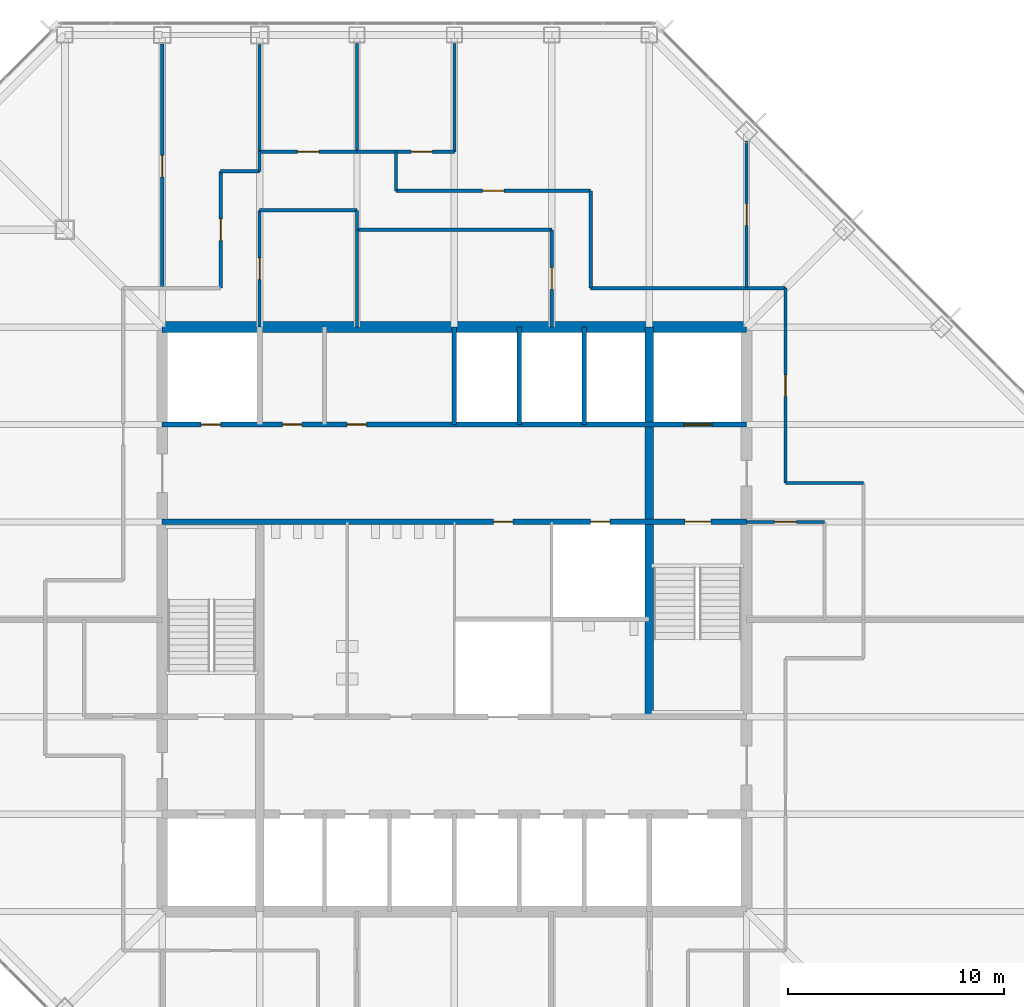
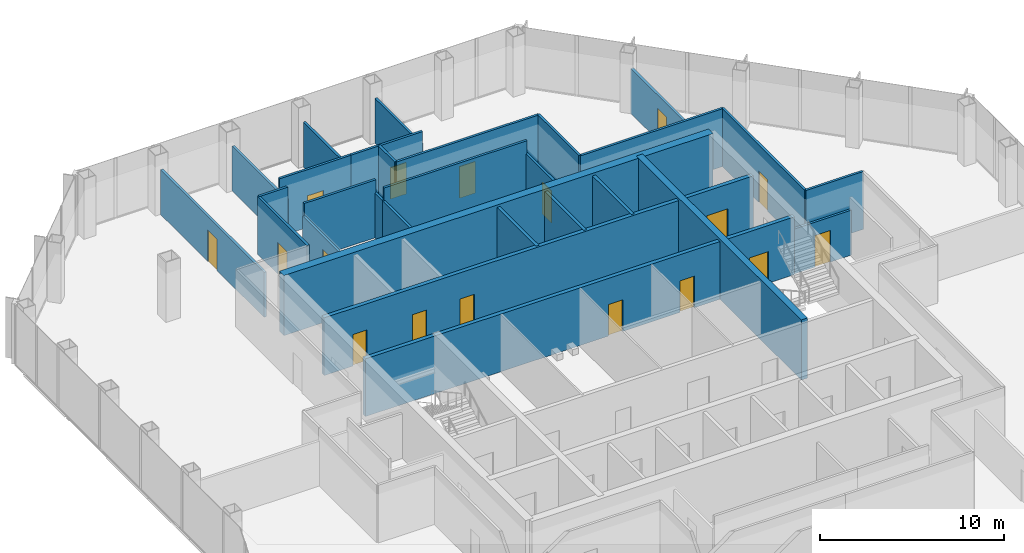
# One storey, part 10 of 13: 30 walls, 17 doors, 17 openings.
"""IFC4 building model written with IfcOpenShell, lengths in metres."""

import ifcopenshell
import ifcopenshell.guid

model = None  # the IFC model being written
_history = None  # IfcOwnerHistory: only IFC2X3 demands one
_inside = {}  # id of a spatial element -> (the spatial element, [elements in it])
_under = {}  # id of a project, library or spatial element -> (it, [spatial elements below it])
_declared = {}  # id of a project -> (the project, [libraries it declares])
_typed = {}  # id of a type object -> (the type object, [elements of that type])
_made_of = {}  # id of a material, layer set ... -> (it, [elements and type objects made of it])


def new_model(schema):
    """Start an empty IFC model of exactly this schema.

    Asked for "IFC4X3", IfcOpenShell would pick the latest addendum, in which some entities
    have other attributes; the version numbers below select the first issue.
    IFC2X3 requires an IfcOwnerHistory on every rooted entity: one is made here for all.
    """
    global model, _history
    if schema == "IFC4X3":
        model = ifcopenshell.file(schema_version=(4, 3, 0, 0))
    else:
        model = ifcopenshell.file(schema=schema)
    _inside.clear()
    _under.clear()
    _declared.clear()
    _typed.clear()
    _made_of.clear()
    _history = None
    if model.schema == "IFC2X3":
        org = make("IfcOrganization", Name="unknown")
        user = make(
            "IfcPersonAndOrganization",
            ThePerson=make("IfcPerson", FamilyName="unknown"),
            TheOrganization=org,
        )
        app = make(
            "IfcApplication",
            ApplicationDeveloper=org,
            Version="unknown",
            ApplicationFullName="unknown",
            ApplicationIdentifier="unknown",
        )
        _history = make(
            "IfcOwnerHistory",
            OwningUser=user,
            OwningApplication=app,
            ChangeAction="ADDED",
            CreationDate=0,
        )
    return model


def make(cls, **values):
    """One entity of the class cls with the attributes given. An attribute that is None is left unset."""
    return model.create_entity(
        cls, **{name: value for name, value in values.items() if value is not None}
    )


def rooted(cls, **values):
    """An entity with a GlobalId (a new one), such as an element, a storey or a relation."""
    return make(cls, GlobalId=ifcopenshell.guid.new(), OwnerHistory=_history, **values)


def si_unit(unit_type, name, prefix=None):
    """IfcSIUnit, for example si_unit("LENGTHUNIT", "METRE", prefix="MILLI")."""
    return make("IfcSIUnit", UnitType=unit_type, Prefix=prefix, Name=name)


def assignment(units):
    """IfcUnitAssignment: the units of a project."""
    return None if units is None else make("IfcUnitAssignment", Units=units)


def point(xyz):
    """IfcCartesianPoint."""
    return None if xyz is None else make("IfcCartesianPoint", Coordinates=xyz)


def direction(xyz):
    """IfcDirection."""
    return None if xyz is None else make("IfcDirection", DirectionRatios=xyz)


def frame(location, z_axis=None, x_axis=None):
    """IfcAxis2Placement3D, a coordinate frame: its origin and axes. An axis left out is left unset."""
    return make(
        "IfcAxis2Placement3D",
        Location=point(location),
        Axis=direction(z_axis),
        RefDirection=direction(x_axis),
    )


def frame_2d(location, x_axis=None):
    """IfcAxis2Placement2D, a coordinate frame in the plane: its origin and x axis."""
    return make(
        "IfcAxis2Placement2D", Location=point(location), RefDirection=direction(x_axis)
    )


def origin():
    """The frame at (0, 0, 0) with its axes left unset."""
    return frame((0.0, 0.0, 0.0))


def place(relative_to, where):
    """IfcLocalPlacement: puts the frame where relative to a parent placement (None: the world)."""
    return make(
        "IfcLocalPlacement", PlacementRelTo=relative_to, RelativePlacement=where
    )


def context(
    kind, dimensions, precision=None, world=None, true_north=None, identifier=None
):
    """IfcGeometricRepresentationContext, for example the 3D "Model" context."""
    return make(
        "IfcGeometricRepresentationContext",
        ContextIdentifier=identifier,
        ContextType=kind,
        CoordinateSpaceDimension=dimensions,
        Precision=precision,
        WorldCoordinateSystem=world,
        TrueNorth=true_north,
    )


def subcontext(parent, identifier, kind, view, scale=None):
    """IfcGeometricRepresentationSubContext, for example "Body" below "Model"."""
    return make(
        "IfcGeometricRepresentationSubContext",
        ContextIdentifier=identifier,
        ContextType=kind,
        ParentContext=parent,
        TargetScale=scale,
        TargetView=view,
    )


def project(units=None, contexts=None):
    """IfcProject with its units and contexts."""
    return rooted(
        "IfcProject",
        Name="project",
        RepresentationContexts=contexts,
        UnitsInContext=assignment(units),
    )


def spatial(cls, under=None, at=None, **own):
    """A site, building, storey or space (cls), placed at a placement, below another one or the project."""
    s = rooted(cls, ObjectPlacement=at, **own)
    if under is not None:
        _under.setdefault(under.id(), (under, []))[1].append(s)
    return s


def profile(cls, at=None, kind="AREA", **sizes):
    """A parametric profile (cls). Its sizes go by their IFC names, for example OverallWidth=200.0."""
    return make(cls, ProfileType=kind, Position=at, **sizes)


def rectangle(**sizes):
    """IfcRectangleProfileDef."""
    return profile("IfcRectangleProfileDef", **sizes)


def extrude(swept, where, along, depth):
    """IfcExtrudedAreaSolid: the profile swept, set in the frame where, extruded along a direction by depth."""
    return make(
        "IfcExtrudedAreaSolid",
        SweptArea=swept,
        Position=where,
        ExtrudedDirection=direction(along),
        Depth=depth,
    )


def shape(context_of_items, identifier, shape_type, items):
    """IfcShapeRepresentation: the items that make up one representation, for example the "Body"."""
    return make(
        "IfcShapeRepresentation",
        ContextOfItems=context_of_items,
        RepresentationIdentifier=identifier,
        RepresentationType=shape_type,
        Items=items,
    )


def material(Name=None, Category=None):
    """IfcMaterial."""
    return make("IfcMaterial", Name=Name, Category=Category)


def layer(
    of_material, thickness, ventilated=None, Name=None, Category=None, Priority=None
):
    """IfcMaterialLayer: one layer of a wall or slab, of a material (None: an air gap)."""
    return make(
        "IfcMaterialLayer",
        Material=of_material,
        LayerThickness=thickness,
        IsVentilated=ventilated,
        Name=Name,
        Category=Category,
        Priority=Priority,
    )


def layer_set(layers, Name=None):
    """IfcMaterialLayerSet."""
    return make("IfcMaterialLayerSet", MaterialLayers=layers, LayerSetName=Name)


def made_of(thing, what):
    """Note that an element or type object is made of a material, layer set ...; save() writes the relation."""
    if what is not None:
        _made_of.setdefault(what.id(), (what, []))[1].append(thing)
    return thing


def type_object(cls, material=None, **own):
    """A type object (cls), such as IfcWallType, which elements share."""
    return made_of(rooted(cls, **own), material)


def element(
    cls,
    number,
    at=None,
    inside=None,
    cuts=None,
    type_object=None,
    material=None,
    context=None,
    identifier="Body",
    shape_type=None,
    held_by="IfcProductDefinitionShape",
    body=None,
    shapes=None,
    **own,
):
    """One element of the class cls, such as IfcWall. Its Tag is "e" and its number.

    at: its placement. inside: the storey or other place that contains it. cuts: it is an
    opening in that element (IfcRelVoidsElement). A single representation is given by context,
    identifier, shape_type and body (its items); several are given by shapes. held_by: the class
    of the entity that holds the representations. save() writes the other relations.
    """
    e = rooted(cls, Tag="e%d" % number, ObjectPlacement=at, **own)
    if body is not None:
        shapes = [shape(context, identifier, shape_type, body)]
    if shapes is not None:
        e.Representation = make(held_by, Representations=shapes)
    if inside is not None:
        _inside.setdefault(inside.id(), (inside, []))[1].append(e)
    if cuts is not None:
        rooted(
            "IfcRelVoidsElement", RelatingBuildingElement=cuts, RelatedOpeningElement=e
        )
    if type_object is not None:
        _typed.setdefault(type_object.id(), (type_object, []))[1].append(e)
    return made_of(e, material)


def fill(opening, filler):
    """IfcRelFillsElement: the door or window that sits in an opening."""
    return rooted(
        "IfcRelFillsElement",
        RelatingOpeningElement=opening,
        RelatedBuildingElement=filler,
    )


def aggregate(whole, parts):
    """IfcRelAggregates: a whole, such as a stair, and the parts it consists of."""
    return rooted("IfcRelAggregates", RelatingObject=whole, RelatedObjects=parts)


def save(model, path):
    """Write the relations noted so far, then the file.

    IfcRelAggregates (storeys below a building ...), IfcRelContainedInSpatialStructure (elements
    in a storey), IfcRelDefinesByType, IfcRelAssociatesMaterial and IfcRelDeclares: one each for
    every whole, place, type object, material and project.
    """
    for whole, parts in _under.values():
        aggregate(whole, parts)
    for where, things in _inside.values():
        rooted(
            "IfcRelContainedInSpatialStructure",
            RelatedElements=things,
            RelatingStructure=where,
        )
    for kind, things in _typed.values():
        rooted("IfcRelDefinesByType", RelatedObjects=things, RelatingType=kind)
    for what, things in _made_of.values():
        rooted("IfcRelAssociatesMaterial", RelatedObjects=things, RelatingMaterial=what)
    for by, libraries in _declared.values():
        rooted("IfcRelDeclares", RelatingContext=by, RelatedDefinitions=libraries)
    model.write(path)


model = new_model("IFC4")

# Units and contexts
model_context = context("Model", 3, precision=1e-05, world=origin(), true_north=direction((0.0, 1.0)))
body_context = subcontext(model_context, "Body", "Model", "MODEL_VIEW")
ifc_project = project(units=[si_unit("LENGTHUNIT", "METRE"), si_unit("AREAUNIT", "SQUARE_METRE"), si_unit("VOLUMEUNIT", "CUBIC_METRE"), si_unit("PLANEANGLEUNIT", "RADIAN"), si_unit("MASSUNIT", "GRAM", prefix="KILO")], contexts=[model_context])

# Site, building, storey
site_placement = place(None, origin())
site = spatial("IfcSite", under=ifc_project, at=site_placement, CompositionType="ELEMENT")
building_placement = place(site_placement, origin())
building = spatial("IfcBuilding", under=site, at=building_placement, Name="Corais Broadcast Tower", CompositionType="ELEMENT")
storey_placement = place(building_placement, frame((0.0, 0.0, 119.60009765625)))
storey = spatial("IfcBuildingStorey", under=building, at=storey_placement, Name="L26", CompositionType="ELEMENT", Elevation=119.60009765625)

# Wall, openings, doors
ifc_material_1 = material(Name="Concrete blockwork class A, grouted, two-hour", Category="masonry")
ifc_layer_1 = layer(ifc_material_1, 0.25)
ifc_layer_set_1 = layer_set([ifc_layer_1], Name="Concrete blockwork class A, grouted, two-hour")
wall_type_1 = type_object("IfcWallType", Name="Core lobby wall 250", PredefinedType="SOLIDWALL", material=ifc_layer_set_1)
wall_1_placement = place(storey_placement, frame((13.5, 31.5, 0.0), z_axis=(0.0, 0.0, 1.0), x_axis=(1.0, 0.0, 0.0)))
wall_1 = element("IfcWall", 1, at=wall_1_placement, inside=storey, type_object=wall_type_1, Name="CL2 core lobby wall Y315 L26", PredefinedType="SOLIDWALL", context=body_context, shape_type="SweptSolid", body=[
    extrude(rectangle(XDim=27.0, YDim=0.25, at=frame_2d((13.5, 0.0))), origin(), (0.0, 0.0, 1.0), 3.83984375),
])
opening_1_placement = place(wall_1_placement, frame((24.14990234375, 0.0, 0.0)))
opening_1 = element("IfcOpeningElement", 2, at=opening_1_placement, cuts=wall_1, Name="Opening FD1", PredefinedType="OPENING", context=body_context, shape_type="SweptSolid", body=[
    extrude(rectangle(XDim=1.199951171875, YDim=2.10009765625, at=frame_2d((0.60009765625, 1.050048828125))), frame((0.0, 0.135009765625, 0.0), z_axis=(0.0, -1.0, 0.0), x_axis=(1.0, 0.0, 0.0)), (0.0, 0.0, 1.0), 0.27001953125),
])
opening_2_placement = place(wall_1_placement, frame((15.300048828125, 0.0, 0.0)))
opening_2 = element("IfcOpeningElement", 3, at=opening_2_placement, cuts=wall_1, Name="Opening RD1", PredefinedType="OPENING", context=body_context, shape_type="SweptSolid", body=[
    extrude(rectangle(XDim=0.89990234375, YDim=2.10009765625, at=frame_2d((0.449951171875, 1.050048828125))), frame((0.0, 0.135009765625, 0.0), z_axis=(0.0, -1.0, 0.0), x_axis=(1.0, 0.0, 0.0)), (0.0, 0.0, 1.0), 0.27001953125),
])
opening_3_placement = place(wall_1_placement, frame((19.800048828125, 0.0, 0.0)))
opening_3 = element("IfcOpeningElement", 4, at=opening_3_placement, cuts=wall_1, Name="Opening RD1", PredefinedType="OPENING", context=body_context, shape_type="SweptSolid", body=[
    extrude(rectangle(XDim=0.89990234375, YDim=2.10009765625, at=frame_2d((0.449951171875, 1.050048828125))), frame((0.0, 0.135009765625, 0.0), z_axis=(0.0, -1.0, 0.0), x_axis=(1.0, 0.0, 0.0)), (0.0, 0.0, 1.0), 0.27001953125),
])
ifc_material_2 = material(Name="Steel fire door", Category="steel")
door_type_1 = type_object("IfcDoorType", Name="Fire door 1200x2100", OperationType="SINGLE_SWING_LEFT", PredefinedType="DOOR", material=ifc_material_2)
door_1_placement = place(opening_1_placement, origin())
door_1 = element("IfcDoor", 5, at=door_1_placement, inside=storey, type_object=door_type_1, Name="FD1 stair B door L26", OperationType="SINGLE_SWING_RIGHT", OverallHeight=2.10009765625, OverallWidth=1.199951171875, PredefinedType="DOOR", context=body_context, shape_type="SweptSolid", body=[
    extrude(rectangle(XDim=1.199951171875, YDim=2.10009765625, at=frame_2d((0.60009765625, 1.050048828125))), frame((0.0, 0.02490234375, 0.0), z_axis=(0.0, -1.0, 0.0), x_axis=(1.0, 0.0, 0.0)), (0.0, 0.0, 1.0), 0.050048828125),
])
fill(opening_1, door_1)
ifc_material_3 = material(Name="Steel fire door", Category="steel")
door_type_2 = type_object("IfcDoorType", Name="Riser door 900x2100", OperationType="SINGLE_SWING_LEFT", PredefinedType="DOOR", material=ifc_material_3)
door_2_placement = place(opening_2_placement, origin())
door_2 = element("IfcDoor", 6, at=door_2_placement, inside=storey, type_object=door_type_2, Name="RD1 tea point door L26", OperationType="SINGLE_SWING_RIGHT", OverallHeight=2.10009765625, OverallWidth=0.89990234375, PredefinedType="DOOR", context=body_context, shape_type="SweptSolid", body=[
    extrude(rectangle(XDim=0.89990234375, YDim=2.10009765625, at=frame_2d((0.449951171875, 1.050048828125))), frame((0.0, 0.02490234375, 0.0), z_axis=(0.0, -1.0, 0.0), x_axis=(1.0, 0.0, 0.0)), (0.0, 0.0, 1.0), 0.050048828125),
])
fill(opening_2, door_2)
door_3_placement = place(opening_3_placement, origin())
door_3 = element("IfcDoor", 7, at=door_3_placement, inside=storey, type_object=door_type_2, Name="RD1 riser door L26", OperationType="SINGLE_SWING_RIGHT", OverallHeight=2.10009765625, OverallWidth=0.89990234375, PredefinedType="DOOR", context=body_context, shape_type="SweptSolid", body=[
    extrude(rectangle(XDim=0.89990234375, YDim=2.10009765625, at=frame_2d((0.449951171875, 1.050048828125))), frame((0.0, 0.02490234375, 0.0), z_axis=(0.0, -1.0, 0.0), x_axis=(1.0, 0.0, 0.0)), (0.0, 0.0, 1.0), 0.050048828125),
])
fill(opening_3, door_3)

# Walls
ifc_material_4 = material(Name="Concrete C50/60", Category="concrete")
ifc_layer_2 = layer(ifc_material_4, 0.39990234375)
ifc_layer_set_2 = layer_set([ifc_layer_2], Name="Concrete C50/60")
wall_type_2 = type_object("IfcWallType", Name="Core wall 400", PredefinedType="SHEAR", material=ifc_layer_set_2)
wall_2_placement = place(storey_placement, frame((36.0, 22.5, 0.0), z_axis=(0.0, 0.0, 1.0), x_axis=(0.0, 1.0, 0.0)))
element("IfcWall", 8, at=wall_2_placement, inside=storey, type_object=wall_type_2, Name="CR400 core wall X36B L26", PredefinedType="SHEAR", context=body_context, shape_type="SweptSolid", body=[
    extrude(rectangle(XDim=18.0, YDim=0.39990234375, at=frame_2d((9.0, 0.0))), origin(), (0.0, 0.0, 1.0), 4.0),
])
ifc_material_5 = material(Name="Concrete C50/60", Category="concrete")
ifc_layer_3 = layer(ifc_material_5, 0.5)
ifc_layer_set_3 = layer_set([ifc_layer_3], Name="Concrete C50/60")
wall_type_3 = type_object("IfcWallType", Name="Core wall 500", PredefinedType="SHEAR", material=ifc_layer_set_3)
wall_3_placement = place(storey_placement, frame((40.5, 40.5, 0.0), z_axis=(0.0, 0.0, 1.0), x_axis=(-1.0, 0.0, 0.0)))
element("IfcWall", 9, at=wall_3_placement, inside=storey, type_object=wall_type_3, Name="CR500 core wall N L26", PredefinedType="SHEAR", context=body_context, shape_type="SweptSolid", body=[
    extrude(rectangle(XDim=27.0, YDim=0.5, at=frame_2d((13.5, 0.0))), origin(), (0.0, 0.0, 1.0), 4.0),
])

# Wall, openings, doors
ifc_material_6 = material(Name="Concrete blockwork class A, grouted, four-hour", Category="masonry")
ifc_layer_4 = layer(ifc_material_6, 0.25)
ifc_layer_set_4 = layer_set([ifc_layer_4], Name="Concrete blockwork class A, grouted, four-hour")
wall_type_4 = type_object("IfcWallType", Name="Emergency lift shaft wall 250", PredefinedType="SOLIDWALL", material=ifc_layer_set_4)
wall_4_placement = place(storey_placement, frame((13.5, 36.0, 0.0), z_axis=(0.0, 0.0, 1.0), x_axis=(1.0, 0.0, 0.0)))
wall_4 = element("IfcWall", 10, at=wall_4_placement, inside=storey, type_object=wall_type_4, Name="LS2 core lobby wall Y36 L26", PredefinedType="SOLIDWALL", context=body_context, shape_type="SweptSolid", body=[
    extrude(rectangle(XDim=27.0, YDim=0.25, at=frame_2d((13.5, 0.0))), origin(), (0.0, 0.0, 1.0), 3.83984375),
])
opening_4_placement = place(wall_4_placement, frame((1.800048828125, 0.0, 0.0)))
opening_4 = element("IfcOpeningElement", 11, at=opening_4_placement, cuts=wall_4, Name="Opening RD1", PredefinedType="OPENING", context=body_context, shape_type="SweptSolid", body=[
    extrude(rectangle(XDim=0.89990234375, YDim=2.10009765625, at=frame_2d((0.449951171875, 1.050048828125))), frame((0.0, 0.135009765625, 0.0), z_axis=(0.0, -1.0, 0.0), x_axis=(1.0, 0.0, 0.0)), (0.0, 0.0, 1.0), 0.27001953125),
])
opening_5_placement = place(wall_4_placement, frame((5.550048828125, 0.0, 0.0)))
opening_5 = element("IfcOpeningElement", 12, at=opening_5_placement, cuts=wall_4, Name="Opening RD1", PredefinedType="OPENING", context=body_context, shape_type="SweptSolid", body=[
    extrude(rectangle(XDim=0.89990234375, YDim=2.10009765625, at=frame_2d((0.449951171875, 1.050048828125))), frame((0.0, 0.135009765625, 0.0), z_axis=(0.0, -1.0, 0.0), x_axis=(1.0, 0.0, 0.0)), (0.0, 0.0, 1.0), 0.27001953125),
])
opening_6_placement = place(wall_4_placement, frame((8.550048828125, 0.0, 0.0)))
opening_6 = element("IfcOpeningElement", 13, at=opening_6_placement, cuts=wall_4, Name="Opening RD1", PredefinedType="OPENING", context=body_context, shape_type="SweptSolid", body=[
    extrude(rectangle(XDim=0.89990234375, YDim=2.10009765625, at=frame_2d((0.449951171875, 1.050048828125))), frame((0.0, 0.135009765625, 0.0), z_axis=(0.0, -1.0, 0.0), x_axis=(1.0, 0.0, 0.0)), (0.0, 0.0, 1.0), 0.27001953125),
])
opening_7_placement = place(wall_4_placement, frame((24.10009765625, 0.0, 0.0)))
opening_7 = element("IfcOpeningElement", 14, at=opening_7_placement, cuts=wall_4, Name="Opening LD2", PredefinedType="OPENING", context=body_context, shape_type="SweptSolid", body=[
    extrude(rectangle(XDim=1.300048828125, YDim=2.199951171875, at=frame_2d((0.64990234375, 1.10009765625))), frame((0.0, 0.135009765625, 0.0), z_axis=(0.0, -1.0, 0.0), x_axis=(1.0, 0.0, 0.0)), (0.0, 0.0, 1.0), 0.27001953125),
])
ifc_material_7 = material(Name="Stainless steel lift door", Category="steel")
door_type_3 = type_object("IfcDoorType", Name="Lift landing door 1300x2200", OperationType="SLIDING_TO_LEFT", PredefinedType="DOOR", material=ifc_material_7)
door_4_placement = place(opening_7_placement, origin())
door_4 = element("IfcDoor", 15, at=door_4_placement, inside=storey, type_object=door_type_3, Name="LD2 FL2 landing door L26", OperationType="SLIDING_TO_LEFT", OverallHeight=2.199951171875, OverallWidth=1.300048828125, PredefinedType="DOOR", context=body_context, shape_type="SweptSolid", body=[
    extrude(rectangle(XDim=1.300048828125, YDim=2.199951171875, at=frame_2d((0.64990234375, 1.10009765625))), frame((0.0, 0.02490234375, 0.0), z_axis=(0.0, -1.0, 0.0), x_axis=(1.0, 0.0, 0.0)), (0.0, 0.0, 1.0), 0.050048828125),
])
fill(opening_7, door_4)
door_5_placement = place(opening_4_placement, origin())
door_5 = element("IfcDoor", 16, at=door_5_placement, inside=storey, type_object=door_type_2, Name="RD1 riser door L26", OperationType="SINGLE_SWING_LEFT", OverallHeight=2.10009765625, OverallWidth=0.89990234375, PredefinedType="DOOR", context=body_context, shape_type="SweptSolid", body=[
    extrude(rectangle(XDim=0.89990234375, YDim=2.10009765625, at=frame_2d((0.449951171875, 1.050048828125))), frame((0.0, 0.02490234375, 0.0), z_axis=(0.0, -1.0, 0.0), x_axis=(1.0, 0.0, 0.0)), (0.0, 0.0, 1.0), 0.050048828125),
])
fill(opening_4, door_5)
door_6_placement = place(opening_5_placement, origin())
door_6 = element("IfcDoor", 17, at=door_6_placement, inside=storey, type_object=door_type_2, Name="RD1 stationery store door L26", OperationType="SINGLE_SWING_LEFT", OverallHeight=2.10009765625, OverallWidth=0.89990234375, PredefinedType="DOOR", context=body_context, shape_type="SweptSolid", body=[
    extrude(rectangle(XDim=0.89990234375, YDim=2.10009765625, at=frame_2d((0.449951171875, 1.050048828125))), frame((0.0, 0.02490234375, 0.0), z_axis=(0.0, -1.0, 0.0), x_axis=(1.0, 0.0, 0.0)), (0.0, 0.0, 1.0), 0.050048828125),
])
fill(opening_5, door_6)
door_7_placement = place(opening_6_placement, origin())
door_7 = element("IfcDoor", 18, at=door_7_placement, inside=storey, type_object=door_type_2, Name="RD1 vending room door L26", OperationType="SINGLE_SWING_LEFT", OverallHeight=2.10009765625, OverallWidth=0.89990234375, PredefinedType="DOOR", context=body_context, shape_type="SweptSolid", body=[
    extrude(rectangle(XDim=0.89990234375, YDim=2.10009765625, at=frame_2d((0.449951171875, 1.050048828125))), frame((0.0, 0.02490234375, 0.0), z_axis=(0.0, -1.0, 0.0), x_axis=(1.0, 0.0, 0.0)), (0.0, 0.0, 1.0), 0.050048828125),
])
fill(opening_6, door_7)

# Wall, opening, door
ifc_material_8 = material(Name="Gypsum board on steel studs", Category="steel")
ifc_layer_5 = layer(ifc_material_8, 0.14990234375)
ifc_layer_set_5 = layer_set([ifc_layer_5], Name="Gypsum board on steel studs")
wall_type_5 = type_object("IfcWallType", Name="Partition 150", PredefinedType="PARTITIONING", material=ifc_layer_set_5)
wall_5_placement = place(storey_placement, frame((16.199951171875, 47.699951171875, 0.0), z_axis=(0.0, 0.0, 1.0), x_axis=(0.0, -1.0, 0.0)))
wall_5 = element("IfcWall", 19, at=wall_5_placement, inside=storey, type_object=wall_type_5, Name="IW3 corridor wall L26", PredefinedType="PARTITIONING", context=body_context, shape_type="SweptSolid", body=[
    extrude(rectangle(XDim=5.39990234375, YDim=0.14990234375, at=frame_2d((2.699951171875, 0.0))), origin(), (0.0, 0.0, 1.0), 3.83984375),
])
opening_8_placement = place(wall_5_placement, frame((2.199951171875, 0.0, 0.0)))
opening_8 = element("IfcOpeningElement", 20, at=opening_8_placement, cuts=wall_5, Name="Opening D1", PredefinedType="OPENING", context=body_context, shape_type="SweptSolid", body=[
    extrude(rectangle(XDim=1.0, YDim=2.10009765625, at=frame_2d((0.5, 1.050048828125))), frame((0.0, 0.0849609375, 0.0), z_axis=(0.0, -1.0, 0.0), x_axis=(1.0, 0.0, 0.0)), (0.0, 0.0, 1.0), 0.169921875),
])
ifc_material_9 = material(Name="Timber door", Category="wood")
door_type_4 = type_object("IfcDoorType", Name="Single door 1000x2100", OperationType="SINGLE_SWING_LEFT", PredefinedType="DOOR", material=ifc_material_9)
door_8_placement = place(opening_8_placement, origin())
door_8 = element("IfcDoor", 21, at=door_8_placement, inside=storey, type_object=door_type_4, Name="D1 workplace door L26", OperationType="SINGLE_SWING_LEFT", OverallHeight=2.10009765625, OverallWidth=1.0, PredefinedType="DOOR", context=body_context, shape_type="SweptSolid", body=[
    extrude(rectangle(XDim=1.0, YDim=2.10009765625, at=frame_2d((0.5, 1.050048828125))), frame((0.0, 0.02490234375, 0.0), z_axis=(0.0, -1.0, 0.0), x_axis=(1.0, 0.0, 0.0)), (0.0, 0.0, 1.0), 0.050048828125),
])
fill(opening_8, door_8)

# Walls
wall_6_placement = place(storey_placement, frame((18.0, 47.699951171875, 0.0), z_axis=(0.0, 0.0, 1.0), x_axis=(-1.0, 0.0, 0.0)))
element("IfcWall", 22, at=wall_6_placement, inside=storey, type_object=wall_type_5, Name="IW3 corridor wall L26", PredefinedType="PARTITIONING", context=body_context, shape_type="SweptSolid", body=[
    extrude(rectangle(XDim=1.800048828125, YDim=0.14990234375, at=frame_2d((0.89990234375, 0.0))), origin(), (0.0, 0.0, 1.0), 3.83984375),
])
wall_7_placement = place(storey_placement, frame((18.0, 48.610107421875, 0.0), z_axis=(0.0, 0.0, 1.0), x_axis=(0.0, -1.0, 0.0)))
element("IfcWall", 23, at=wall_7_placement, inside=storey, type_object=wall_type_5, Name="IW3 corridor wall L26", PredefinedType="PARTITIONING", context=body_context, shape_type="SweptSolid", body=[
    extrude(rectangle(XDim=0.91015625, YDim=0.14990234375, at=frame_2d((0.455078125, 0.0))), origin(), (0.0, 0.0, 1.0), 2.989013671875),
])

# Wall, opening, door
wall_8_placement = place(storey_placement, frame((33.300048828125, 46.800048828125, 0.0), z_axis=(0.0, 0.0, 1.0), x_axis=(-1.0, 0.0, 0.0)))
wall_8 = element("IfcWall", 24, at=wall_8_placement, inside=storey, type_object=wall_type_5, Name="IW3 corridor wall L26", PredefinedType="PARTITIONING", context=body_context, shape_type="SweptSolid", body=[
    extrude(rectangle(XDim=9.0, YDim=0.14990234375, at=frame_2d((4.5, 0.0))), origin(), (0.0, 0.0, 1.0), 3.83984375),
])
opening_9_placement = place(wall_8_placement, frame((4.0, 0.0, 0.0)))
opening_9 = element("IfcOpeningElement", 25, at=opening_9_placement, cuts=wall_8, Name="Opening D1", PredefinedType="OPENING", context=body_context, shape_type="SweptSolid", body=[
    extrude(rectangle(XDim=1.0, YDim=2.10009765625, at=frame_2d((0.5, 1.050048828125))), frame((0.0, 0.0849609375, 0.0), z_axis=(0.0, -1.0, 0.0), x_axis=(1.0, 0.0, 0.0)), (0.0, 0.0, 1.0), 0.169921875),
])
door_9_placement = place(opening_9_placement, origin())
door_9 = element("IfcDoor", 26, at=door_9_placement, inside=storey, type_object=door_type_4, Name="D1 workplace door L26", OperationType="SINGLE_SWING_LEFT", OverallHeight=2.10009765625, OverallWidth=1.0, PredefinedType="DOOR", context=body_context, shape_type="SweptSolid", body=[
    extrude(rectangle(XDim=1.0, YDim=2.10009765625, at=frame_2d((0.5, 1.050048828125))), frame((0.0, 0.02490234375, 0.0), z_axis=(0.0, -1.0, 0.0), x_axis=(1.0, 0.0, 0.0)), (0.0, 0.0, 1.0), 0.050048828125),
])
fill(opening_9, door_9)

wall_9_placement = place(storey_placement, frame((42.300048828125, 33.300048828125, 0.0), z_axis=(0.0, 0.0, 1.0), x_axis=(0.0, 1.0, 0.0)))
wall_9 = element("IfcWall", 27, at=wall_9_placement, inside=storey, type_object=wall_type_5, Name="IW3 corridor wall L26", PredefinedType="PARTITIONING", context=body_context, shape_type="SweptSolid", body=[
    extrude(rectangle(XDim=9.0, YDim=0.14990234375, at=frame_2d((4.5, 0.0))), origin(), (0.0, 0.0, 1.0), 3.83984375),
])
opening_10_placement = place(wall_9_placement, frame((4.0, 0.0, 0.0)))
opening_10 = element("IfcOpeningElement", 28, at=opening_10_placement, cuts=wall_9, Name="Opening D1", PredefinedType="OPENING", context=body_context, shape_type="SweptSolid", body=[
    extrude(rectangle(XDim=1.0, YDim=2.10009765625, at=frame_2d((0.5, 1.050048828125))), frame((0.0, 0.0849609375, 0.0), z_axis=(0.0, -1.0, 0.0), x_axis=(1.0, 0.0, 0.0)), (0.0, 0.0, 1.0), 0.169921875),
])
door_10_placement = place(opening_10_placement, origin())
door_10 = element("IfcDoor", 29, at=door_10_placement, inside=storey, type_object=door_type_4, Name="D1 workplace door L26", OperationType="SINGLE_SWING_LEFT", OverallHeight=2.10009765625, OverallWidth=1.0, PredefinedType="DOOR", context=body_context, shape_type="SweptSolid", body=[
    extrude(rectangle(XDim=1.0, YDim=2.10009765625, at=frame_2d((0.5, 1.050048828125))), frame((0.0, 0.02490234375, 0.0), z_axis=(0.0, -1.0, 0.0), x_axis=(1.0, 0.0, 0.0)), (0.0, 0.0, 1.0), 0.050048828125),
])
fill(opening_10, door_10)

# Walls
wall_10_placement = place(storey_placement, frame((42.300048828125, 42.300048828125, 0.0), z_axis=(0.0, 0.0, 1.0), x_axis=(-1.0, 0.0, 0.0)))
element("IfcWall", 30, at=wall_10_placement, inside=storey, type_object=wall_type_5, Name="IW3 corridor wall L26", PredefinedType="PARTITIONING", context=body_context, shape_type="SweptSolid", body=[
    extrude(rectangle(XDim=9.0, YDim=0.14990234375, at=frame_2d((4.5, 0.0))), origin(), (0.0, 0.0, 1.0), 3.83984375),
])
wall_11_placement = place(storey_placement, frame((33.300048828125, 42.300048828125, 0.0), z_axis=(0.0, 0.0, 1.0), x_axis=(0.0, 1.0, 0.0)))
element("IfcWall", 31, at=wall_11_placement, inside=storey, type_object=wall_type_5, Name="IW3 corridor wall L26", PredefinedType="PARTITIONING", context=body_context, shape_type="SweptSolid", body=[
    extrude(rectangle(XDim=4.5, YDim=0.14990234375, at=frame_2d((2.25, 0.0))), origin(), (0.0, 0.0, 1.0), 3.83984375),
])
wall_12_placement = place(storey_placement, frame((45.89990234375, 33.300048828125, 0.0), z_axis=(0.0, 0.0, 1.0), x_axis=(-1.0, 0.0, 0.0)))
element("IfcWall", 32, at=wall_12_placement, inside=storey, type_object=wall_type_5, Name="IW3 corridor wall L26", PredefinedType="PARTITIONING", context=body_context, shape_type="SweptSolid", body=[
    extrude(rectangle(XDim=3.599853515625, YDim=0.14990234375, at=frame_2d((1.7998046875, 0.0))), origin(), (0.0, 0.0, 1.0), 3.83984375),
])
wall_13_placement = place(storey_placement, frame((24.300048828125, 46.800048828125, 0.0), z_axis=(0.0, 0.0, 1.0), x_axis=(0.0, 1.0, 0.0)))
element("IfcWall", 33, at=wall_13_placement, inside=storey, type_object=wall_type_5, Name="IW3 corridor wall L26", PredefinedType="PARTITIONING", context=body_context, shape_type="SweptSolid", body=[
    extrude(rectangle(XDim=1.800048828125, YDim=0.14990234375, at=frame_2d((0.89990234375, 0.0))), origin(), (0.0, 0.0, 1.0), 3.83984375),
])

# Wall, opening, door
wall_14_placement = place(storey_placement, frame((31.5, 40.5, 0.0), z_axis=(0.0, 0.0, 1.0), x_axis=(0.0, 1.0, 0.0)))
wall_14 = element("IfcWall", 34, at=wall_14_placement, inside=storey, type_object=wall_type_5, Name="IW3 partition L26", PredefinedType="PARTITIONING", context=body_context, shape_type="SweptSolid", body=[
    extrude(rectangle(XDim=4.5, YDim=0.14990234375, at=frame_2d((2.25, 0.0))), origin(), (0.0, 0.0, 1.0), 2.989013671875),
])
opening_11_placement = place(wall_14_placement, frame((1.75, 0.0, 0.0)))
opening_11 = element("IfcOpeningElement", 35, at=opening_11_placement, cuts=wall_14, Name="Opening D1", PredefinedType="OPENING", context=body_context, shape_type="SweptSolid", body=[
    extrude(rectangle(XDim=1.0, YDim=2.10009765625, at=frame_2d((0.5, 1.050048828125))), frame((0.0, 0.0849609375, 0.0), z_axis=(0.0, -1.0, 0.0), x_axis=(1.0, 0.0, 0.0)), (0.0, 0.0, 1.0), 0.169921875),
])
door_11_placement = place(opening_11_placement, origin())
door_11 = element("IfcDoor", 36, at=door_11_placement, inside=storey, type_object=door_type_4, Name="D1 Meeting room door", OperationType="SINGLE_SWING_LEFT", OverallHeight=2.10009765625, OverallWidth=1.0, PredefinedType="DOOR", context=body_context, shape_type="SweptSolid", body=[
    extrude(rectangle(XDim=1.0, YDim=2.10009765625, at=frame_2d((0.5, 1.050048828125))), frame((0.0, 0.02490234375, 0.0), z_axis=(0.0, -1.0, 0.0), x_axis=(1.0, 0.0, 0.0)), (0.0, 0.0, 1.0), 0.050048828125),
])
fill(opening_11, door_11)

# Walls
wall_15_placement = place(storey_placement, frame((31.5, 45.0, 0.0), z_axis=(0.0, 0.0, 1.0), x_axis=(-1.0, 0.0, 0.0)))
element("IfcWall", 37, at=wall_15_placement, inside=storey, type_object=wall_type_5, Name="IW3 partition L26", PredefinedType="PARTITIONING", context=body_context, shape_type="SweptSolid", body=[
    extrude(rectangle(XDim=9.0, YDim=0.14990234375, at=frame_2d((4.5, 0.0))), origin(), (0.0, 0.0, 1.0), 3.83984375),
])
wall_16_placement = place(storey_placement, frame((22.5, 45.0, 0.0), z_axis=(0.0, 0.0, 1.0), x_axis=(0.0, -1.0, 0.0)))
element("IfcWall", 38, at=wall_16_placement, inside=storey, type_object=wall_type_5, Name="IW3 partition L26", PredefinedType="PARTITIONING", context=body_context, shape_type="SweptSolid", body=[
    extrude(rectangle(XDim=4.5, YDim=0.14990234375, at=frame_2d((2.25, 0.0))), origin(), (0.0, 0.0, 1.0), 2.989013671875),
])

# Wall, opening, door
wall_17_placement = place(storey_placement, frame((18.0, 48.60009765625, 0.0), z_axis=(0.0, 0.0, 1.0), x_axis=(1.0, 0.0, 0.0)))
wall_17 = element("IfcWall", 39, at=wall_17_placement, inside=storey, type_object=wall_type_5, Name="IW3 partition L26", PredefinedType="PARTITIONING", context=body_context, shape_type="SweptSolid", body=[
    extrude(rectangle(XDim=4.5, YDim=0.14990234375, at=frame_2d((2.25, 0.0))), origin(), (0.0, 0.0, 1.0), 3.83984375),
])
opening_12_placement = place(wall_17_placement, frame((1.75, 0.0, 0.0)))
opening_12 = element("IfcOpeningElement", 40, at=opening_12_placement, cuts=wall_17, Name="Opening D1", PredefinedType="OPENING", context=body_context, shape_type="SweptSolid", body=[
    extrude(rectangle(XDim=1.0, YDim=2.10009765625, at=frame_2d((0.5, 1.050048828125))), frame((0.0, 0.0849609375, 0.0), z_axis=(0.0, -1.0, 0.0), x_axis=(1.0, 0.0, 0.0)), (0.0, 0.0, 1.0), 0.169921875),
])
door_12_placement = place(opening_12_placement, origin())
door_12 = element("IfcDoor", 41, at=door_12_placement, inside=storey, type_object=door_type_4, Name="D1 Office door", OperationType="SINGLE_SWING_LEFT", OverallHeight=2.10009765625, OverallWidth=1.0, PredefinedType="DOOR", context=body_context, shape_type="SweptSolid", body=[
    extrude(rectangle(XDim=1.0, YDim=2.10009765625, at=frame_2d((0.5, 1.050048828125))), frame((0.0, 0.02490234375, 0.0), z_axis=(0.0, -1.0, 0.0), x_axis=(1.0, 0.0, 0.0)), (0.0, 0.0, 1.0), 0.050048828125),
])
fill(opening_12, door_12)

# Walls
wall_18_placement = place(storey_placement, frame((22.5, 48.60009765625, 0.0), z_axis=(0.0, 0.0, 1.0), x_axis=(0.0, 1.0, 0.0)))
element("IfcWall", 42, at=wall_18_placement, inside=storey, type_object=wall_type_5, Name="IW3 partition L26", PredefinedType="PARTITIONING", context=body_context, shape_type="SweptSolid", body=[
    extrude(rectangle(XDim=5.014892578125, YDim=0.14990234375, at=frame_2d((2.50732421875, 0.0))), origin(), (0.0, 0.0, 1.0), 2.989013671875),
])
wall_19_placement = place(storey_placement, frame((18.0, 53.56494140625, 0.0), z_axis=(0.0, 0.0, 1.0), x_axis=(0.0, -1.0, 0.0)))
element("IfcWall", 43, at=wall_19_placement, inside=storey, type_object=wall_type_5, Name="IW3 partition L26", PredefinedType="PARTITIONING", context=body_context, shape_type="SweptSolid", body=[
    extrude(rectangle(XDim=4.96484375, YDim=0.14990234375, at=frame_2d((2.482421875, 0.0))), origin(), (0.0, 0.0, 1.0), 2.989013671875),
])

# Wall, opening, door
wall_20_placement = place(storey_placement, frame((22.5, 48.60009765625, 0.0), z_axis=(0.0, 0.0, 1.0), x_axis=(1.0, 0.0, 0.0)))
wall_20 = element("IfcWall", 44, at=wall_20_placement, inside=storey, type_object=wall_type_5, Name="IW3 partition L26", PredefinedType="PARTITIONING", context=body_context, shape_type="SweptSolid", body=[
    extrude(rectangle(XDim=4.5, YDim=0.14990234375, at=frame_2d((2.25, 0.0))), origin(), (0.0, 0.0, 1.0), 3.83984375),
])
opening_13_placement = place(wall_20_placement, frame((2.5, 0.0, 0.0)))
opening_13 = element("IfcOpeningElement", 45, at=opening_13_placement, cuts=wall_20, Name="Opening D1", PredefinedType="OPENING", context=body_context, shape_type="SweptSolid", body=[
    extrude(rectangle(XDim=1.0, YDim=2.10009765625, at=frame_2d((0.5, 1.050048828125))), frame((0.0, 0.0849609375, 0.0), z_axis=(0.0, -1.0, 0.0), x_axis=(1.0, 0.0, 0.0)), (0.0, 0.0, 1.0), 0.169921875),
])
door_13_placement = place(opening_13_placement, origin())
door_13 = element("IfcDoor", 46, at=door_13_placement, inside=storey, type_object=door_type_4, Name="D1 Office door", OperationType="SINGLE_SWING_RIGHT", OverallHeight=2.10009765625, OverallWidth=1.0, PredefinedType="DOOR", context=body_context, shape_type="SweptSolid", body=[
    extrude(rectangle(XDim=1.0, YDim=2.10009765625, at=frame_2d((0.5, 1.050048828125))), frame((0.0, 0.02490234375, 0.0), z_axis=(0.0, -1.0, 0.0), x_axis=(1.0, 0.0, 0.0)), (0.0, 0.0, 1.0), 0.050048828125),
])
fill(opening_13, door_13)

# Wall
wall_21_placement = place(storey_placement, frame((27.0, 48.60009765625, 0.0), z_axis=(0.0, 0.0, 1.0), x_axis=(0.0, 1.0, 0.0)))
element("IfcWall", 47, at=wall_21_placement, inside=storey, type_object=wall_type_5, Name="IW3 partition L26", PredefinedType="PARTITIONING", context=body_context, shape_type="SweptSolid", body=[
    extrude(rectangle(XDim=5.014892578125, YDim=0.14990234375, at=frame_2d((2.50732421875, 0.0))), origin(), (0.0, 0.0, 1.0), 2.989013671875),
])

# Wall, opening, door
wall_22_placement = place(storey_placement, frame((44.10009765625, 31.5, 0.0), z_axis=(0.0, 0.0, 1.0), x_axis=(-1.0, 0.0, 0.0)))
wall_22 = element("IfcWall", 48, at=wall_22_placement, inside=storey, type_object=wall_type_5, Name="IW3 partition L26", PredefinedType="PARTITIONING", context=body_context, shape_type="SweptSolid", body=[
    extrude(rectangle(XDim=3.60009765625, YDim=0.14990234375, at=frame_2d((1.800048828125, 0.0))), origin(), (0.0, 0.0, 1.0), 2.989013671875),
])
opening_14_placement = place(wall_22_placement, frame((1.300048828125, 0.0, 0.0)))
opening_14 = element("IfcOpeningElement", 49, at=opening_14_placement, cuts=wall_22, Name="Opening D1", PredefinedType="OPENING", context=body_context, shape_type="SweptSolid", body=[
    extrude(rectangle(XDim=1.0, YDim=2.10009765625, at=frame_2d((0.5, 1.050048828125))), frame((0.0, 0.0849609375, 0.0), z_axis=(0.0, -1.0, 0.0), x_axis=(1.0, 0.0, 0.0)), (0.0, 0.0, 1.0), 0.169921875),
])
door_14_placement = place(opening_14_placement, origin())
door_14 = element("IfcDoor", 50, at=door_14_placement, inside=storey, type_object=door_type_4, Name="D1 Pantry door", OperationType="SINGLE_SWING_LEFT", OverallHeight=2.10009765625, OverallWidth=1.0, PredefinedType="DOOR", context=body_context, shape_type="SweptSolid", body=[
    extrude(rectangle(XDim=1.0, YDim=2.10009765625, at=frame_2d((0.5, 1.050048828125))), frame((0.0, 0.02490234375, 0.0), z_axis=(0.0, -1.0, 0.0), x_axis=(1.0, 0.0, 0.0)), (0.0, 0.0, 1.0), 0.050048828125),
])
fill(opening_14, door_14)

# Walls
wall_23_placement = place(storey_placement, frame((22.5, 45.0, 0.0), z_axis=(0.0, 0.0, 1.0), x_axis=(0.0, 1.0, 0.0)))
element("IfcWall", 51, at=wall_23_placement, inside=storey, type_object=wall_type_5, Name="IW3 partition L26", PredefinedType="PARTITIONING", context=body_context, shape_type="SweptSolid", body=[
    extrude(rectangle(XDim=0.89990234375, YDim=0.14990234375, at=frame_2d((0.449951171875, 0.0))), origin(), (0.0, 0.0, 1.0), 2.989013671875),
])
wall_24_placement = place(storey_placement, frame((22.5, 45.89990234375, 0.0), z_axis=(0.0, 0.0, 1.0), x_axis=(-1.0, 0.0, 0.0)))
element("IfcWall", 52, at=wall_24_placement, inside=storey, type_object=wall_type_5, Name="IW3 partition L26", PredefinedType="PARTITIONING", context=body_context, shape_type="SweptSolid", body=[
    extrude(rectangle(XDim=4.5, YDim=0.14990234375, at=frame_2d((2.25, 0.0))), origin(), (0.0, 0.0, 1.0), 3.83984375),
])

# Wall, opening, door
wall_25_placement = place(storey_placement, frame((18.0, 45.89990234375, 0.0), z_axis=(0.0, 0.0, 1.0), x_axis=(0.0, -1.0, 0.0)))
wall_25 = element("IfcWall", 53, at=wall_25_placement, inside=storey, type_object=wall_type_5, Name="IW3 partition L26", PredefinedType="PARTITIONING", context=body_context, shape_type="SweptSolid", body=[
    extrude(rectangle(XDim=5.39990234375, YDim=0.14990234375, at=frame_2d((2.699951171875, 0.0))), origin(), (0.0, 0.0, 1.0), 2.989013671875),
])
opening_15_placement = place(wall_25_placement, frame((2.199951171875, 0.0, 0.0)))
opening_15 = element("IfcOpeningElement", 54, at=opening_15_placement, cuts=wall_25, Name="Opening D1", PredefinedType="OPENING", context=body_context, shape_type="SweptSolid", body=[
    extrude(rectangle(XDim=1.0, YDim=2.10009765625, at=frame_2d((0.5, 1.050048828125))), frame((0.0, 0.0849609375, 0.0), z_axis=(0.0, -1.0, 0.0), x_axis=(1.0, 0.0, 0.0)), (0.0, 0.0, 1.0), 0.169921875),
])
door_15_placement = place(opening_15_placement, origin())
door_15 = element("IfcDoor", 55, at=door_15_placement, inside=storey, type_object=door_type_4, Name="D1 Meeting room door", OperationType="SINGLE_SWING_LEFT", OverallHeight=2.10009765625, OverallWidth=1.0, PredefinedType="DOOR", context=body_context, shape_type="SweptSolid", body=[
    extrude(rectangle(XDim=1.0, YDim=2.10009765625, at=frame_2d((0.5, 1.050048828125))), frame((0.0, 0.02490234375, 0.0), z_axis=(0.0, -1.0, 0.0), x_axis=(1.0, 0.0, 0.0)), (0.0, 0.0, 1.0), 0.050048828125),
])
fill(opening_15, door_15)

wall_26_placement = place(storey_placement, frame((13.5, 42.300048828125, 0.0), z_axis=(0.0, 0.0, 1.0), x_axis=(0.0, 1.0, 0.0)))
wall_26 = element("IfcWall", 56, at=wall_26_placement, inside=storey, type_object=wall_type_5, Name="IW3 partition L26", PredefinedType="PARTITIONING", context=body_context, shape_type="SweptSolid", body=[
    extrude(rectangle(XDim=11.280029296875, YDim=0.14990234375, at=frame_2d((5.64013671875, 0.0))), origin(), (0.0, 0.0, 1.0), 2.989013671875),
])
opening_16_placement = place(wall_26_placement, frame((5.139892578125, 0.0, 0.0)))
opening_16 = element("IfcOpeningElement", 57, at=opening_16_placement, cuts=wall_26, Name="Opening D1", PredefinedType="OPENING", context=body_context, shape_type="SweptSolid", body=[
    extrude(rectangle(XDim=1.0, YDim=2.10009765625, at=frame_2d((0.5, 1.050048828125))), frame((0.0, 0.0849609375, 0.0), z_axis=(0.0, -1.0, 0.0), x_axis=(1.0, 0.0, 0.0)), (0.0, 0.0, 1.0), 0.169921875),
])
door_16_placement = place(opening_16_placement, origin())
door_16 = element("IfcDoor", 58, at=door_16_placement, inside=storey, type_object=door_type_4, Name="D1 team room door L26", OperationType="SINGLE_SWING_LEFT", OverallHeight=2.10009765625, OverallWidth=1.0, PredefinedType="DOOR", context=body_context, shape_type="SweptSolid", body=[
    extrude(rectangle(XDim=1.0, YDim=2.10009765625, at=frame_2d((0.5, 1.050048828125))), frame((0.0, 0.02490234375, 0.0), z_axis=(0.0, -1.0, 0.0), x_axis=(1.0, 0.0, 0.0)), (0.0, 0.0, 1.0), 0.050048828125),
])
fill(opening_16, door_16)

wall_27_placement = place(storey_placement, frame((40.5, 49.10498046875, 0.0), z_axis=(0.0, 0.0, 1.0), x_axis=(0.0, -1.0, 0.0)))
wall_27 = element("IfcWall", 59, at=wall_27_placement, inside=storey, type_object=wall_type_5, Name="IW3 partition L26", PredefinedType="PARTITIONING", context=body_context, shape_type="SweptSolid", body=[
    extrude(rectangle(XDim=6.804931640625, YDim=0.14990234375, at=frame_2d((3.40234375, 0.0))), origin(), (0.0, 0.0, 1.0), 2.989013671875),
])
opening_17_placement = place(wall_27_placement, frame((2.902587890625, 0.0, 0.0)))
opening_17 = element("IfcOpeningElement", 60, at=opening_17_placement, cuts=wall_27, Name="Opening D1", PredefinedType="OPENING", context=body_context, shape_type="SweptSolid", body=[
    extrude(rectangle(XDim=1.0, YDim=2.10009765625, at=frame_2d((0.5, 1.050048828125))), frame((0.0, 0.0849609375, 0.0), z_axis=(0.0, -1.0, 0.0), x_axis=(1.0, 0.0, 0.0)), (0.0, 0.0, 1.0), 0.169921875),
])
door_17_placement = place(opening_17_placement, origin())
door_17 = element("IfcDoor", 61, at=door_17_placement, inside=storey, type_object=door_type_4, Name="D1 team room door L26", OperationType="SINGLE_SWING_LEFT", OverallHeight=2.10009765625, OverallWidth=1.0, PredefinedType="DOOR", context=body_context, shape_type="SweptSolid", body=[
    extrude(rectangle(XDim=1.0, YDim=2.10009765625, at=frame_2d((0.5, 1.050048828125))), frame((0.0, 0.02490234375, 0.0), z_axis=(0.0, -1.0, 0.0), x_axis=(1.0, 0.0, 0.0)), (0.0, 0.0, 1.0), 0.050048828125),
])
fill(opening_17, door_17)

# Walls
ifc_material_10 = material(Name="Concrete blockwork class A, grouted, two-hour", Category="masonry")
ifc_layer_6 = layer(ifc_material_10, 0.199951171875)
ifc_layer_set_6 = layer_set([ifc_layer_6], Name="Concrete blockwork class A, grouted, two-hour")
wall_type_6 = type_object("IfcWallType", Name="Shaft wall 200", PredefinedType="PARTITIONING", material=ifc_layer_set_6)
for number, where, z_axis, x_axis, name in (
    (62, (27.0, 36.0, 0.0), (0.0, 0.0, 1.0), (0.0, 1.0, 0.0), "IW1 shaft wall L26"),
    (63, (30.0, 36.0, 0.0), (0.0, 0.0, 1.0), (0.0, 1.0, 0.0), "IW1 shaft wall L26"),
    (64, (33.0, 36.0, 0.0), (0.0, 0.0, 1.0), (0.0, 1.0, 0.0), "IW1 shaft wall L26"),
):
    element("IfcWall", number, at=place(storey_placement, frame(where, z_axis=z_axis, x_axis=x_axis)), inside=storey, type_object=wall_type_6, Name=name, PredefinedType="PARTITIONING", context=body_context, shape_type="SweptSolid", body=[
        extrude(rectangle(XDim=4.5, YDim=0.199951171875, at=frame_2d((2.25, 0.0))), origin(), (0.0, 0.0, 1.0), 3.83984375),
    ])

save(model, "model.ifc")
